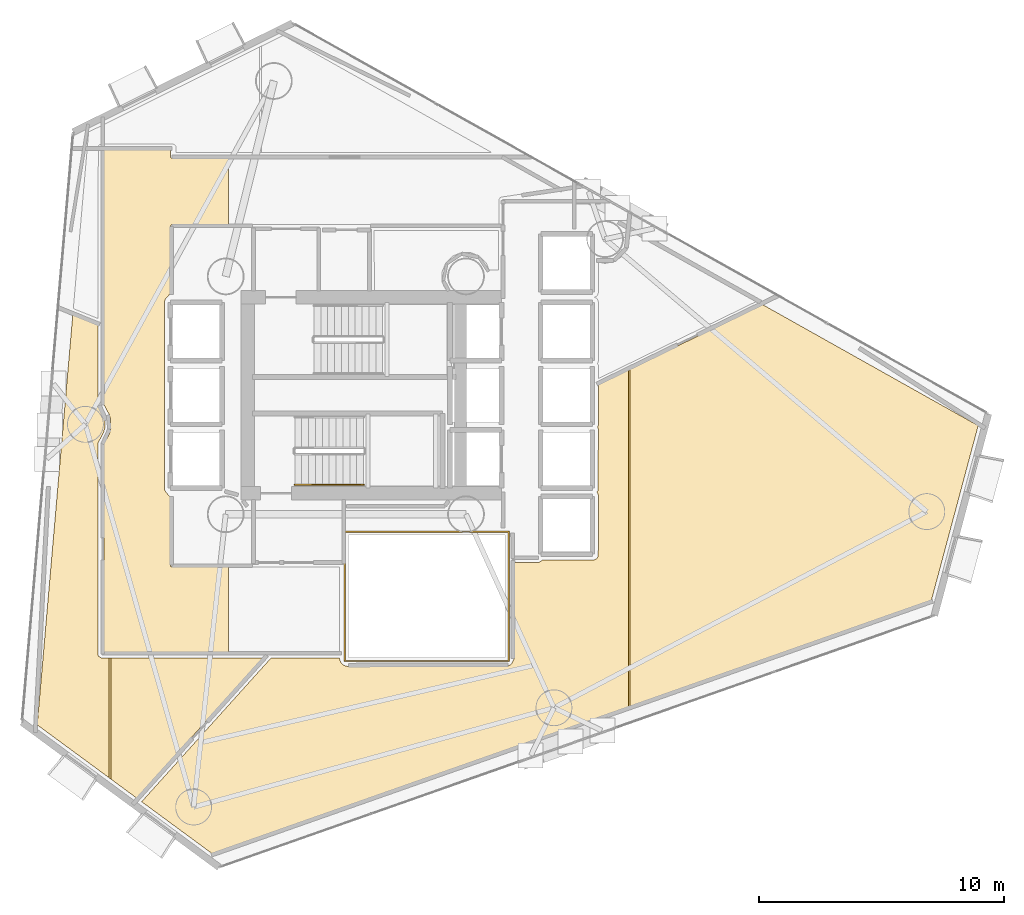
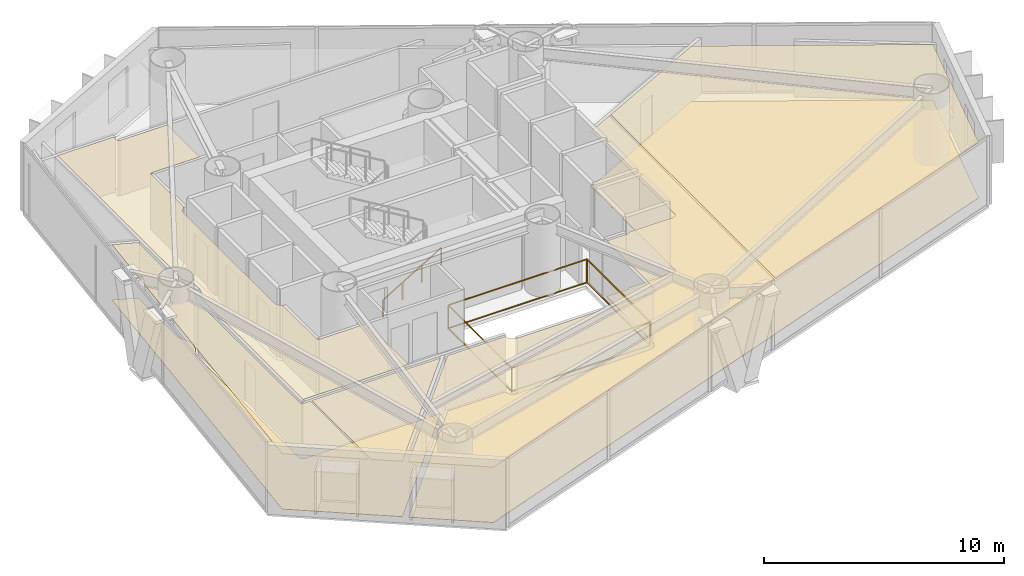
# One storey, part 18 of 19: 7 coverings, 2 railings.
"""IFC4 building model written with IfcOpenShell, lengths in metres."""

import ifcopenshell
import ifcopenshell.guid

model = None  # the IFC model being written
_history = None  # IfcOwnerHistory: only IFC2X3 demands one
_inside = {}  # id of a spatial element -> (the spatial element, [elements in it])
_under = {}  # id of a project, library or spatial element -> (it, [spatial elements below it])
_declared = {}  # id of a project -> (the project, [libraries it declares])
_typed = {}  # id of a type object -> (the type object, [elements of that type])
_made_of = {}  # id of a material, layer set ... -> (it, [elements and type objects made of it])


def new_model(schema):
    """Start an empty IFC model of exactly this schema.

    Asked for "IFC4X3", IfcOpenShell would pick the latest addendum, in which some entities
    have other attributes; the version numbers below select the first issue.
    IFC2X3 requires an IfcOwnerHistory on every rooted entity: one is made here for all.
    """
    global model, _history
    if schema == "IFC4X3":
        model = ifcopenshell.file(schema_version=(4, 3, 0, 0))
    else:
        model = ifcopenshell.file(schema=schema)
    _inside.clear()
    _under.clear()
    _declared.clear()
    _typed.clear()
    _made_of.clear()
    _history = None
    if model.schema == "IFC2X3":
        org = make("IfcOrganization", Name="unknown")
        user = make(
            "IfcPersonAndOrganization",
            ThePerson=make("IfcPerson", FamilyName="unknown"),
            TheOrganization=org,
        )
        app = make(
            "IfcApplication",
            ApplicationDeveloper=org,
            Version="unknown",
            ApplicationFullName="unknown",
            ApplicationIdentifier="unknown",
        )
        _history = make(
            "IfcOwnerHistory",
            OwningUser=user,
            OwningApplication=app,
            ChangeAction="ADDED",
            CreationDate=0,
        )
    return model


def make(cls, **values):
    """One entity of the class cls with the attributes given. An attribute that is None is left unset."""
    return model.create_entity(
        cls, **{name: value for name, value in values.items() if value is not None}
    )


def rooted(cls, **values):
    """An entity with a GlobalId (a new one), such as an element, a storey or a relation."""
    return make(cls, GlobalId=ifcopenshell.guid.new(), OwnerHistory=_history, **values)


def si_unit(unit_type, name, prefix=None):
    """IfcSIUnit, for example si_unit("LENGTHUNIT", "METRE", prefix="MILLI")."""
    return make("IfcSIUnit", UnitType=unit_type, Prefix=prefix, Name=name)


def assignment(units):
    """IfcUnitAssignment: the units of a project."""
    return None if units is None else make("IfcUnitAssignment", Units=units)


def point(xyz):
    """IfcCartesianPoint."""
    return None if xyz is None else make("IfcCartesianPoint", Coordinates=xyz)


def direction(xyz):
    """IfcDirection."""
    return None if xyz is None else make("IfcDirection", DirectionRatios=xyz)


def frame(location, z_axis=None, x_axis=None):
    """IfcAxis2Placement3D, a coordinate frame: its origin and axes. An axis left out is left unset."""
    return make(
        "IfcAxis2Placement3D",
        Location=point(location),
        Axis=direction(z_axis),
        RefDirection=direction(x_axis),
    )


def frame_2d(location, x_axis=None):
    """IfcAxis2Placement2D, a coordinate frame in the plane: its origin and x axis."""
    return make(
        "IfcAxis2Placement2D", Location=point(location), RefDirection=direction(x_axis)
    )


def origin():
    """The frame at (0, 0, 0) with its axes left unset."""
    return frame((0.0, 0.0, 0.0))


def origin_2d():
    """The frame at (0, 0) in the plane with its x axis left unset."""
    return frame_2d((0.0, 0.0))


def place(relative_to, where):
    """IfcLocalPlacement: puts the frame where relative to a parent placement (None: the world)."""
    return make(
        "IfcLocalPlacement", PlacementRelTo=relative_to, RelativePlacement=where
    )


def context(
    kind, dimensions, precision=None, world=None, true_north=None, identifier=None
):
    """IfcGeometricRepresentationContext, for example the 3D "Model" context."""
    return make(
        "IfcGeometricRepresentationContext",
        ContextIdentifier=identifier,
        ContextType=kind,
        CoordinateSpaceDimension=dimensions,
        Precision=precision,
        WorldCoordinateSystem=world,
        TrueNorth=true_north,
    )


def subcontext(parent, identifier, kind, view, scale=None):
    """IfcGeometricRepresentationSubContext, for example "Body" below "Model"."""
    return make(
        "IfcGeometricRepresentationSubContext",
        ContextIdentifier=identifier,
        ContextType=kind,
        ParentContext=parent,
        TargetScale=scale,
        TargetView=view,
    )


def project(units=None, contexts=None):
    """IfcProject with its units and contexts."""
    return rooted(
        "IfcProject",
        Name="project",
        RepresentationContexts=contexts,
        UnitsInContext=assignment(units),
    )


def spatial(cls, under=None, at=None, **own):
    """A site, building, storey or space (cls), placed at a placement, below another one or the project."""
    s = rooted(cls, ObjectPlacement=at, **own)
    if under is not None:
        _under.setdefault(under.id(), (under, []))[1].append(s)
    return s


def polyline(points):
    """IfcPolyline through the points."""
    return make("IfcPolyline", Points=[point(p) for p in points])


def profile(cls, at=None, kind="AREA", **sizes):
    """A parametric profile (cls). Its sizes go by their IFC names, for example OverallWidth=200.0."""
    return make(cls, ProfileType=kind, Position=at, **sizes)


def rectangle(**sizes):
    """IfcRectangleProfileDef."""
    return profile("IfcRectangleProfileDef", **sizes)


def outline(outer, holes=None, kind="AREA"):
    """IfcArbitraryClosedProfileDef: a profile drawn as a closed curve; with holes, ...WithVoids."""
    if holes is None:
        return make("IfcArbitraryClosedProfileDef", ProfileType=kind, OuterCurve=outer)
    return make(
        "IfcArbitraryProfileDefWithVoids",
        ProfileType=kind,
        OuterCurve=outer,
        InnerCurves=holes,
    )


def extrude(swept, where, along, depth):
    """IfcExtrudedAreaSolid: the profile swept, set in the frame where, extruded along a direction by depth."""
    return make(
        "IfcExtrudedAreaSolid",
        SweptArea=swept,
        Position=where,
        ExtrudedDirection=direction(along),
        Depth=depth,
    )


def shape(context_of_items, identifier, shape_type, items):
    """IfcShapeRepresentation: the items that make up one representation, for example the "Body"."""
    return make(
        "IfcShapeRepresentation",
        ContextOfItems=context_of_items,
        RepresentationIdentifier=identifier,
        RepresentationType=shape_type,
        Items=items,
    )


def material(Name=None, Category=None):
    """IfcMaterial."""
    return make("IfcMaterial", Name=Name, Category=Category)


def layer(
    of_material, thickness, ventilated=None, Name=None, Category=None, Priority=None
):
    """IfcMaterialLayer: one layer of a wall or slab, of a material (None: an air gap)."""
    return make(
        "IfcMaterialLayer",
        Material=of_material,
        LayerThickness=thickness,
        IsVentilated=ventilated,
        Name=Name,
        Category=Category,
        Priority=Priority,
    )


def layer_set(layers, Name=None):
    """IfcMaterialLayerSet."""
    return make("IfcMaterialLayerSet", MaterialLayers=layers, LayerSetName=Name)


def made_of(thing, what):
    """Note that an element or type object is made of a material, layer set ...; save() writes the relation."""
    if what is not None:
        _made_of.setdefault(what.id(), (what, []))[1].append(thing)
    return thing


def type_object(cls, material=None, **own):
    """A type object (cls), such as IfcWallType, which elements share."""
    return made_of(rooted(cls, **own), material)


def element(
    cls,
    number,
    at=None,
    inside=None,
    cuts=None,
    type_object=None,
    material=None,
    context=None,
    identifier="Body",
    shape_type=None,
    held_by="IfcProductDefinitionShape",
    body=None,
    shapes=None,
    **own,
):
    """One element of the class cls, such as IfcWall. Its Tag is "e" and its number.

    at: its placement. inside: the storey or other place that contains it. cuts: it is an
    opening in that element (IfcRelVoidsElement). A single representation is given by context,
    identifier, shape_type and body (its items); several are given by shapes. held_by: the class
    of the entity that holds the representations. save() writes the other relations.
    """
    e = rooted(cls, Tag="e%d" % number, ObjectPlacement=at, **own)
    if body is not None:
        shapes = [shape(context, identifier, shape_type, body)]
    if shapes is not None:
        e.Representation = make(held_by, Representations=shapes)
    if inside is not None:
        _inside.setdefault(inside.id(), (inside, []))[1].append(e)
    if cuts is not None:
        rooted(
            "IfcRelVoidsElement", RelatingBuildingElement=cuts, RelatedOpeningElement=e
        )
    if type_object is not None:
        _typed.setdefault(type_object.id(), (type_object, []))[1].append(e)
    return made_of(e, material)


def aggregate(whole, parts):
    """IfcRelAggregates: a whole, such as a stair, and the parts it consists of."""
    return rooted("IfcRelAggregates", RelatingObject=whole, RelatedObjects=parts)


def save(model, path):
    """Write the relations noted so far, then the file.

    IfcRelAggregates (storeys below a building ...), IfcRelContainedInSpatialStructure (elements
    in a storey), IfcRelDefinesByType, IfcRelAssociatesMaterial and IfcRelDeclares: one each for
    every whole, place, type object, material and project.
    """
    for whole, parts in _under.values():
        aggregate(whole, parts)
    for where, things in _inside.values():
        rooted(
            "IfcRelContainedInSpatialStructure",
            RelatedElements=things,
            RelatingStructure=where,
        )
    for kind, things in _typed.values():
        rooted("IfcRelDefinesByType", RelatedObjects=things, RelatingType=kind)
    for what, things in _made_of.values():
        rooted("IfcRelAssociatesMaterial", RelatedObjects=things, RelatingMaterial=what)
    for by, libraries in _declared.values():
        rooted("IfcRelDeclares", RelatingContext=by, RelatedDefinitions=libraries)
    model.write(path)


model = new_model("IFC4")

# Units and contexts
model_context = context("Model", 3, precision=1e-05, world=origin(), true_north=direction((0.0, 1.0)))
body_context = subcontext(model_context, "Body", "Model", "MODEL_VIEW")
ifc_project = project(units=[si_unit("LENGTHUNIT", "METRE"), si_unit("AREAUNIT", "SQUARE_METRE"), si_unit("VOLUMEUNIT", "CUBIC_METRE"), si_unit("PLANEANGLEUNIT", "RADIAN"), si_unit("MASSUNIT", "GRAM", prefix="KILO")], contexts=[model_context])

# Site, building, storey
site_placement = place(None, origin())
site = spatial("IfcSite", under=ifc_project, at=site_placement, CompositionType="ELEMENT")
building_placement = place(site_placement, origin())
building = spatial("IfcBuilding", under=site, at=building_placement, Name="Qianvela Tower", CompositionType="ELEMENT")
storey_placement = place(building_placement, frame((0.0, 0.0, 123.699951171875)))
storey = spatial("IfcBuildingStorey", under=building, at=storey_placement, Name="L31", CompositionType="ELEMENT", Elevation=123.699951171875)

# Coverings
ifc_material_1 = material(Name="Perforated Mineral Acoustic Ceiling Tile")
ifc_layer_1 = layer(ifc_material_1, 0.02490234375)
ifc_layer_set_1 = layer_set([ifc_layer_1], Name="Perforated Mineral Acoustic Ceiling Tile")
covering_type_1 = type_object("IfcCoveringType", Name="COV-CEIL-ACOUSTIC-25", PredefinedType="CEILING", material=ifc_layer_set_1)
covering_1_placement = place(storey_placement, frame((0.0, 0.0, 2.81494140625)))
element("IfcCovering", 1, at=covering_1_placement, inside=storey, type_object=covering_type_1, Name="L31 Acoustic Ceiling Bay 1 L31 Floor Corridor", PredefinedType="CEILING", context=body_context, shape_type="SweptSolid", body=[
    extrude(outline(polyline([(23.84814453125, 27.917724609375), (23.8447265625, 27.9248046875), (23.6298828125, 28.32666015625), (23.6298828125, 38.719970703125), (26.340087890625, 38.719970703125), (26.340087890625, 38.449951171875), (26.34033203125, 38.442138671875), (26.341552734375, 38.434326171875), (26.343505859375, 38.4267578125), (26.34619140625, 38.41943359375), (26.349365234375, 38.412353515625), (26.353515625, 38.405517578125), (26.358154296875, 38.399169921875), (26.36328125, 38.393310546875), (26.369140625, 38.38818359375), (26.37548828125, 38.383544921875), (26.38232421875, 38.37939453125), (26.389404296875, 38.376220703125), (26.396728515625, 38.373291015625), (26.404296875, 38.37158203125), (26.412109375, 38.370361328125), (26.419921875, 38.3701171875), (28.718994140625, 38.3701171875), (28.718994140625, 35.659912109375), (26.419921875, 35.659912109375), (26.412109375, 35.65966796875), (26.404296875, 35.658447265625), (26.396728515625, 35.656494140625), (26.389404296875, 35.65380859375), (26.38232421875, 35.650634765625), (26.37548828125, 35.646484375), (26.369140625, 35.641845703125), (26.36328125, 35.63671875), (26.358154296875, 35.630859375), (26.353515625, 35.62451171875), (26.349365234375, 35.61767578125), (26.34619140625, 35.610595703125), (26.343505859375, 35.603271484375), (26.341552734375, 35.595703125), (26.34033203125, 35.587890625), (26.340087890625, 35.580078125), (26.340087890625, 32.849365234375), (26.152587890625, 32.642578125), (26.1474609375, 32.636474609375), (26.143310546875, 32.6298828125), (26.139404296875, 32.623046875), (26.136474609375, 32.61572265625), (26.104736328125, 32.527099609375), (26.10205078125, 32.518310546875), (26.1005859375, 32.509033203125), (26.10009765625, 32.5), (26.10009765625, 24.89990234375), (26.100341796875, 24.89306640625), (26.101318359375, 24.88623046875), (26.1025390625, 24.879638671875), (26.104736328125, 24.873046875), (26.136474609375, 24.7841796875), (26.139404296875, 24.777099609375), (26.143310546875, 24.77001953125), (26.1474609375, 24.763427734375), (26.152587890625, 24.757568359375), (26.340087890625, 24.550537109375), (26.340087890625, 21.780029296875), (26.34033203125, 21.772216796875), (26.341552734375, 21.764404296875), (26.343505859375, 21.7568359375), (26.34619140625, 21.74951171875), (26.349365234375, 21.7421875), (26.353515625, 21.735595703125), (26.358154296875, 21.729248046875), (26.36328125, 21.723388671875), (26.369140625, 21.71826171875), (26.37548828125, 21.71337890625), (26.38232421875, 21.70947265625), (26.389404296875, 21.7060546875), (26.396728515625, 21.703369140625), (26.404296875, 21.701416015625), (26.412109375, 21.700439453125), (26.419921875, 21.699951171875), (28.718994140625, 21.699951171875), (28.718994140625, 18.22998046875), (23.6298828125, 18.22998046875), (23.6298828125, 26.705322265625), (23.8447265625, 27.107177734375), (23.84814453125, 27.1142578125), (23.8505859375, 27.12158203125), (23.906005859375, 27.303466796875), (23.90771484375, 27.311279296875), (23.908935546875, 27.31884765625), (23.909423828125, 27.326904296875), (23.909423828125, 27.705078125), (23.908935546875, 27.713134765625), (23.90771484375, 27.720703125), (23.906005859375, 27.728515625), (23.8505859375, 27.910400390625), (23.84814453125, 27.917724609375)])), origin(), (0.0, 0.0, 1.0), 0.025146484375),
])
covering_2_placement = place(storey_placement, frame((0.0, 0.0, 2.81494140625)))
element("IfcCovering", 2, at=covering_2_placement, inside=storey, type_object=covering_type_1, Name="L31 Acoustic Ceiling Bay 1 Student Tea Pantry L31-01", PredefinedType="CEILING", context=body_context, shape_type="SweptSolid", body=[
    extrude(outline(polyline([(23.389892578125, 31.569091796875), (23.390380859375, 28.298583984375), (23.390869140625, 28.291015625), (23.391845703125, 28.283447265625), (23.393798828125, 28.276123046875), (23.396240234375, 28.268798828125), (23.3994140625, 28.261962890625), (23.62548828125, 27.826171875), (23.66943359375, 27.681396484375), (23.66943359375, 27.3505859375), (23.62548828125, 27.20556640625), (23.398681640625, 26.76171875), (23.3955078125, 26.7548828125), (23.393310546875, 26.747802734375), (23.391357421875, 26.740478515625), (23.390380859375, 26.73291015625), (23.389892578125, 26.725341796875), (23.3994140625, 18.1123046875), (23.39990234375, 18.10400390625), (23.401123046875, 18.095703125), (23.4033203125, 18.087890625), (23.40625, 18.080078125), (23.409912109375, 18.07275390625), (23.414306640625, 18.06591796875), (23.41943359375, 18.059326171875), (23.42529296875, 18.053466796875), (23.431396484375, 18.04833984375), (23.438232421875, 18.043701171875), (23.5087890625, 18.00146484375), (23.5166015625, 17.997314453125), (23.5244140625, 17.994140625), (23.532958984375, 17.991943359375), (23.54150390625, 17.990478515625), (23.550048828125, 17.989990234375), (23.83349609375, 17.989990234375), (23.83349609375, 13.10888671875), (20.91162109375, 15.2587890625), (22.363037109375, 31.984130859375), (23.389892578125, 31.569091796875)])), origin(), (0.0, 0.0, 1.0), 0.025146484375),
])
covering_3_placement = place(storey_placement, frame((0.0, 0.0, 2.81494140625)))
element("IfcCovering", 3, at=covering_3_placement, inside=storey, type_object=covering_type_1, Name="L31 Acoustic Ceiling Bay 2 Student Tea Pantry L31-01", PredefinedType="CEILING", context=body_context, shape_type="SweptSolid", body=[
    extrude(outline(polyline([(30.12353515625, 17.989990234375), (24.973388671875, 12.27001953125), (23.91357421875, 13.050048828125), (23.91357421875, 17.989990234375), (30.12353515625, 17.989990234375)])), origin(), (0.0, 0.0, 1.0), 0.025146484375),
])
covering_4_placement = place(storey_placement, frame((0.0, 0.0, 2.81494140625)))
element("IfcCovering", 4, at=covering_4_placement, inside=storey, type_object=covering_type_1, Name="L31 Acoustic Ceiling Bay 1 Floor Dining Kitchen L31-02", PredefinedType="CEILING", context=body_context, shape_type="SweptSolid", body=[
    extrude(outline(polyline([(40.13037109375, 17.664794921875), (40.1376953125, 17.66748046875), (40.14501953125, 17.6708984375), (40.151611328125, 17.6748046875), (40.242431640625, 17.735595703125), (40.249267578125, 17.74072265625), (40.255615234375, 17.74658203125), (40.26123046875, 17.753173828125), (40.26611328125, 17.76025390625), (40.270263671875, 17.767822265625), (40.35107421875, 17.9384765625), (40.354248046875, 17.946533203125), (40.356689453125, 17.955078125), (40.358154296875, 17.963623046875), (40.358642578125, 17.972412109375), (40.360107421875, 21.889892578125), (41.367919921875, 21.890380859375), (41.375732421875, 21.890869140625), (41.383544921875, 21.891845703125), (41.39111328125, 21.893798828125), (41.3984375, 21.896484375), (41.405517578125, 21.89990234375), (41.45947265625, 21.9287109375), (41.46630859375, 21.932861328125), (41.472900390625, 21.9375), (41.478759765625, 21.943115234375), (41.48388671875, 21.948974609375), (41.48876953125, 21.955322265625), (41.492919921875, 21.96240234375), (41.49609375, 21.969482421875), (41.498779296875, 21.97705078125), (41.49951171875, 21.97998046875), (43.59375, 21.980712890625), (43.6015625, 21.981201171875), (43.609375, 21.982177734375), (43.616943359375, 21.984130859375), (43.624267578125, 21.98681640625), (43.699462890625, 22.017822265625), (43.70654296875, 22.021240234375), (43.71337890625, 22.025390625), (43.719482421875, 22.02978515625), (43.725341796875, 22.03515625), (43.730712890625, 22.041015625), (43.7353515625, 22.04736328125), (43.780517578125, 22.114990234375), (43.784423828125, 22.12158203125), (43.787841796875, 22.128662109375), (43.79052734375, 22.135986328125), (43.79248046875, 22.1435546875), (43.793701171875, 22.1513671875), (43.7939453125, 22.1591796875), (43.800048828125, 24.599853515625), (43.7998046875, 24.606689453125), (43.798828125, 24.613525390625), (43.79736328125, 24.620361328125), (43.79541015625, 24.626953125), (43.763427734375, 24.7158203125), (43.760498046875, 24.722900390625), (43.7568359375, 24.72998046875), (43.75244140625, 24.736572265625), (43.74755859375, 24.742431640625), (43.741943359375, 24.748046875), (43.73583984375, 24.753173828125), (43.730224609375, 24.7568359375), (43.74462890625, 24.765380859375), (43.75146484375, 24.77001953125), (43.7578125, 24.775146484375), (43.763427734375, 24.781005859375), (43.7685546875, 24.787353515625), (43.77294921875, 24.794189453125), (43.776611328125, 24.8017578125), (43.779541015625, 24.809326171875), (43.78173828125, 24.817138671875), (43.782958984375, 24.8251953125), (43.783447265625, 24.83349609375), (43.800048828125, 27.299560546875), (43.799560546875, 27.3076171875), (43.798583984375, 27.315673828125), (43.79638671875, 27.323486328125), (43.793701171875, 27.3310546875), (43.7646484375, 27.39990234375), (43.793701171875, 27.468994140625), (43.79638671875, 27.476318359375), (43.79833984375, 27.484130859375), (43.799560546875, 27.491943359375), (43.800048828125, 27.5), (43.800048828125, 29.13720703125), (45.019287109375, 29.73193359375), (45.019287109375, 15.9853515625), (28.044921875, 10.010009765625), (25.1708984375, 12.124755859375), (30.451904296875, 17.989990234375), (33.24609375, 17.989990234375), (33.252197265625, 17.912353515625), (33.25341796875, 17.904296875), (33.25537109375, 17.896240234375), (33.258056640625, 17.888427734375), (33.261474609375, 17.881103515625), (33.31298828125, 17.78466796875), (33.31689453125, 17.77783203125), (33.32177734375, 17.771484375), (33.326904296875, 17.765869140625), (33.332763671875, 17.760498046875), (33.417236328125, 17.691162109375), (33.42431640625, 17.68603515625), (33.431884765625, 17.681640625), (33.440185546875, 17.677978515625), (33.448486328125, 17.675537109375), (33.58056640625, 17.642333984375), (33.5869140625, 17.64111328125), (33.593505859375, 17.640380859375), (33.60009765625, 17.639892578125), (40.0, 17.639892578125), (40.0078125, 17.640380859375), (40.015625, 17.6416015625), (40.122802734375, 17.662841796875), (40.13037109375, 17.664794921875)])), origin(), (0.0, 0.0, 1.0), 0.025146484375),
])
covering_5_placement = place(storey_placement, frame((0.0, 0.0, 2.81494140625)))
element("IfcCovering", 5, at=covering_5_placement, inside=storey, type_object=covering_type_1, Name="L31 Acoustic Ceiling Bay 2 Floor Dining Kitchen L31-02", PredefinedType="CEILING", context=body_context, shape_type="SweptSolid", body=[
    extrude(outline(polyline([(50.4931640625, 32.401611328125), (59.2890625, 27.462890625), (57.382080078125, 20.33740234375), (45.09912109375, 16.013427734375), (45.09912109375, 29.77099609375), (50.4931640625, 32.401611328125)])), origin(), (0.0, 0.0, 1.0), 0.025146484375),
])
ifc_material_2 = material(Name="Engineered Acoustic Oak Timber Flooring", Category="wood")
ifc_layer_2 = layer(ifc_material_2, 0.02001953125)
ifc_layer_set_2 = layer_set([ifc_layer_2], Name="Engineered Acoustic Oak Timber Flooring")
covering_type_2 = type_object("IfcCoveringType", Name="COV-FLOOR-OAK-20", PredefinedType="FLOORING", material=ifc_layer_set_2)
covering_6_placement = place(storey_placement, origin())
element("IfcCovering", 6, at=covering_6_placement, inside=storey, type_object=covering_type_2, Name="L31 Finish Flooring Student Tea Pantry L31-01", PredefinedType="FLOORING", context=body_context, shape_type="SweptSolid", body=[
    extrude(outline(polyline([(22.363037109375, 31.984130859375), (23.389892578125, 31.569091796875), (23.390380859375, 28.298583984375), (23.390869140625, 28.291015625), (23.391845703125, 28.283447265625), (23.393798828125, 28.276123046875), (23.396240234375, 28.268798828125), (23.3994140625, 28.261962890625), (23.62548828125, 27.826171875), (23.66943359375, 27.681396484375), (23.66943359375, 27.3505859375), (23.62548828125, 27.20556640625), (23.398681640625, 26.76171875), (23.3955078125, 26.7548828125), (23.393310546875, 26.747802734375), (23.391357421875, 26.740478515625), (23.390380859375, 26.73291015625), (23.389892578125, 26.725341796875), (23.3994140625, 18.1123046875), (23.39990234375, 18.10400390625), (23.401123046875, 18.095703125), (23.4033203125, 18.087890625), (23.40625, 18.080078125), (23.409912109375, 18.07275390625), (23.414306640625, 18.06591796875), (23.41943359375, 18.059326171875), (23.42529296875, 18.053466796875), (23.431396484375, 18.04833984375), (23.438232421875, 18.043701171875), (23.5087890625, 18.00146484375), (23.5166015625, 17.997314453125), (23.5244140625, 17.994140625), (23.532958984375, 17.991943359375), (23.54150390625, 17.990478515625), (23.550048828125, 17.989990234375), (30.12353515625, 17.989990234375), (24.973388671875, 12.27001953125), (20.91162109375, 15.2587890625), (22.363037109375, 31.984130859375)])), origin(), (0.0, 0.0, 1.0), 0.02001953125),
])
covering_7_placement = place(storey_placement, origin())
element("IfcCovering", 7, at=covering_7_placement, inside=storey, type_object=covering_type_2, Name="L31 Finish Flooring Floor Dining Kitchen L31-02", PredefinedType="FLOORING", context=body_context, shape_type="SweptSolid", body=[
    extrude(outline(polyline([(40.122802734375, 17.662841796875), (40.13037109375, 17.664794921875), (40.1376953125, 17.66748046875), (40.14501953125, 17.6708984375), (40.151611328125, 17.6748046875), (40.242431640625, 17.735595703125), (40.249267578125, 17.74072265625), (40.255615234375, 17.74658203125), (40.26123046875, 17.753173828125), (40.26611328125, 17.76025390625), (40.270263671875, 17.767822265625), (40.35107421875, 17.9384765625), (40.354248046875, 17.946533203125), (40.356689453125, 17.955078125), (40.358154296875, 17.963623046875), (40.358642578125, 17.972412109375), (40.360107421875, 21.889892578125), (41.367919921875, 21.890380859375), (41.375732421875, 21.890869140625), (41.383544921875, 21.891845703125), (41.39111328125, 21.893798828125), (41.3984375, 21.896484375), (41.405517578125, 21.89990234375), (41.45947265625, 21.9287109375), (41.46630859375, 21.932861328125), (41.472900390625, 21.9375), (41.478759765625, 21.943115234375), (41.48388671875, 21.948974609375), (41.48876953125, 21.955322265625), (41.492919921875, 21.96240234375), (41.49609375, 21.969482421875), (41.498779296875, 21.97705078125), (41.49951171875, 21.97998046875), (43.59375, 21.980712890625), (43.6015625, 21.981201171875), (43.609375, 21.982177734375), (43.616943359375, 21.984130859375), (43.624267578125, 21.98681640625), (43.699462890625, 22.017822265625), (43.70654296875, 22.021240234375), (43.71337890625, 22.025390625), (43.719482421875, 22.02978515625), (43.725341796875, 22.03515625), (43.730712890625, 22.041015625), (43.7353515625, 22.04736328125), (43.780517578125, 22.114990234375), (43.784423828125, 22.12158203125), (43.787841796875, 22.128662109375), (43.79052734375, 22.135986328125), (43.79248046875, 22.1435546875), (43.793701171875, 22.1513671875), (43.7939453125, 22.1591796875), (43.800048828125, 24.599853515625), (43.7998046875, 24.606689453125), (43.798828125, 24.613525390625), (43.79736328125, 24.620361328125), (43.79541015625, 24.626953125), (43.763427734375, 24.7158203125), (43.760498046875, 24.722900390625), (43.7568359375, 24.72998046875), (43.75244140625, 24.736572265625), (43.74755859375, 24.742431640625), (43.741943359375, 24.748046875), (43.73583984375, 24.753173828125), (43.730224609375, 24.7568359375), (43.74462890625, 24.765380859375), (43.75146484375, 24.77001953125), (43.7578125, 24.775146484375), (43.763427734375, 24.781005859375), (43.7685546875, 24.787353515625), (43.77294921875, 24.794189453125), (43.776611328125, 24.8017578125), (43.779541015625, 24.809326171875), (43.78173828125, 24.817138671875), (43.782958984375, 24.8251953125), (43.783447265625, 24.83349609375), (43.800048828125, 27.299560546875), (43.799560546875, 27.3076171875), (43.798583984375, 27.315673828125), (43.79638671875, 27.323486328125), (43.793701171875, 27.3310546875), (43.7646484375, 27.39990234375), (43.793701171875, 27.468994140625), (43.79638671875, 27.476318359375), (43.79833984375, 27.484130859375), (43.799560546875, 27.491943359375), (43.800048828125, 27.5), (43.800048828125, 29.13720703125), (50.4931640625, 32.401611328125), (59.2890625, 27.462890625), (57.382080078125, 20.33740234375), (28.044921875, 10.010009765625), (25.1708984375, 12.124755859375), (30.451904296875, 17.989990234375), (33.24609375, 17.989990234375), (33.252197265625, 17.912353515625), (33.25341796875, 17.904296875), (33.25537109375, 17.896240234375), (33.258056640625, 17.888427734375), (33.261474609375, 17.881103515625), (33.31298828125, 17.78466796875), (33.31689453125, 17.77783203125), (33.32177734375, 17.771484375), (33.326904296875, 17.765869140625), (33.332763671875, 17.760498046875), (33.417236328125, 17.691162109375), (33.42431640625, 17.68603515625), (33.431884765625, 17.681640625), (33.440185546875, 17.677978515625), (33.448486328125, 17.675537109375), (33.58056640625, 17.642333984375), (33.5869140625, 17.64111328125), (33.593505859375, 17.640380859375), (33.60009765625, 17.639892578125), (40.0, 17.639892578125), (40.0078125, 17.640380859375), (40.015625, 17.6416015625), (40.122802734375, 17.662841796875)])), origin(), (0.0, 0.0, 1.0), 0.02001953125),
])

# Railings
ifc_material_3 = material(Name="Laminated Safety Glass and Stainless Steel 316", Category="steel")
railing_type_1 = type_object("IfcRailingType", Name="RL-ATRIUM-GUARD-1250", PredefinedType="GUARDRAIL", material=ifc_material_3)
railing_1_placement = place(storey_placement, frame((33.4599609375, 17.860107421875, 0.0)))
element("IfcRailing", 8, at=railing_1_placement, inside=storey, type_object=railing_type_1, Name="L31 Atrium Edge Guardrail 1", PredefinedType="GUARDRAIL", context=body_context, shape_type="SweptSolid", body=[
    extrude(rectangle(XDim=0.050048828125, YDim=0.0400390625, at=origin_2d()), frame((0.0, 0.0, 1.22998046875), z_axis=(0.0, 1.0, 0.0), x_axis=(-1.0, 0.0, 0.0)), (0.0, 0.0, 1.0), 5.27978515625),
    extrude(rectangle(XDim=0.050048828125, YDim=0.0400390625, at=origin_2d()), frame((0.0, 0.0, 0.050048828125), z_axis=(0.0, 1.0, 0.0), x_axis=(-1.0, 0.0, 0.0)), (0.0, 0.0, 1.0), 5.27978515625),
    extrude(rectangle(XDim=0.050048828125, YDim=0.0400390625, at=origin_2d()), frame((0.0, 5.27978515625, 1.22998046875), z_axis=(1.0, 0.0, 0.0), x_axis=(0.0, 1.0, 0.0)), (0.0, 0.0, 1.0), 6.679931640625),
    extrude(rectangle(XDim=0.050048828125, YDim=0.0400390625, at=origin_2d()), frame((0.0, 5.27978515625, 0.050048828125), z_axis=(1.0, 0.0, 0.0), x_axis=(0.0, 1.0, 0.0)), (0.0, 0.0, 1.0), 6.679931640625),
    extrude(rectangle(XDim=0.050048828125, YDim=0.0400390625, at=origin_2d()), frame((6.679931640625, 5.27978515625, 1.22998046875), z_axis=(0.0, -1.0, 0.0), x_axis=(1.0, 0.0, 0.0)), (0.0, 0.0, 1.0), 5.27978515625),
    extrude(rectangle(XDim=0.050048828125, YDim=0.0400390625, at=origin_2d()), frame((6.679931640625, 5.27978515625, 0.050048828125), z_axis=(0.0, -1.0, 0.0), x_axis=(1.0, 0.0, 0.0)), (0.0, 0.0, 1.0), 5.27978515625),
    extrude(rectangle(XDim=0.050048828125, YDim=0.0400390625, at=origin_2d()), frame((6.679931640625, 0.0, 1.22998046875), z_axis=(-1.0, 0.0, 0.0), x_axis=(0.0, -1.0, 0.0)), (0.0, 0.0, 1.0), 6.679931640625),
    extrude(rectangle(XDim=0.050048828125, YDim=0.0400390625, at=origin_2d()), frame((6.679931640625, 0.0, 0.050048828125), z_axis=(-1.0, 0.0, 0.0), x_axis=(0.0, -1.0, 0.0)), (0.0, 0.0, 1.0), 6.679931640625),
    extrude(rectangle(XDim=0.050048828125, YDim=0.050048828125, at=origin_2d()), origin(), (0.0, 0.0, 1.0), 1.2099609375),
    extrude(rectangle(XDim=0.050048828125, YDim=0.050048828125, at=origin_2d()), frame((0.0, 5.27978515625, 0.0)), (0.0, 0.0, 1.0), 1.2099609375),
    extrude(rectangle(XDim=0.050048828125, YDim=0.050048828125, at=origin_2d()), frame((6.679931640625, 5.27978515625, 0.0)), (0.0, 0.0, 1.0), 1.2099609375),
    extrude(rectangle(XDim=0.050048828125, YDim=0.050048828125, at=origin_2d()), frame((6.679931640625, 0.0, 0.0)), (0.0, 0.0, 1.0), 1.2099609375),
])
ifc_material_4 = material(Name="Brushed Stainless Steel 304", Category="steel")
railing_type_2 = type_object("IfcRailingType", Name="RL-STAIR-HANDRAIL-900", PredefinedType="HANDRAIL", material=ifc_material_4)
railing_2_placement = place(storey_placement, frame((31.419921875, 25.050048828125, 0.168212890625)))
element("IfcRailing", 9, at=railing_2_placement, inside=storey, type_object=railing_type_2, Name="L31 ST-2 stair handrail 1", PredefinedType="HANDRAIL", context=body_context, shape_type="SweptSolid", body=[
    extrude(rectangle(XDim=0.050048828125, YDim=0.0400390625, at=origin_2d()), frame((0.0, 0.0, 0.8798828125), z_axis=(0.857242210791, 0.0, 0.514913383045), x_axis=(0.0, 1.0, 0.0)), (0.0, 0.0, 1.0), 3.266357421875),
    extrude(rectangle(XDim=0.050048828125, YDim=0.050048828125, at=origin_2d()), origin(), (0.0, 0.0, 1.0), 0.85986328125),
    extrude(rectangle(XDim=0.050048828125, YDim=0.050048828125, at=origin_2d()), frame((0.933349609375, 0.0, 0.560546875)), (0.0, 0.0, 1.0), 0.85986328125),
    extrude(rectangle(XDim=0.050048828125, YDim=0.050048828125, at=origin_2d()), frame((1.86669921875, 0.0, 1.121337890625)), (0.0, 0.0, 1.0), 0.85986328125),
    extrude(rectangle(XDim=0.050048828125, YDim=0.050048828125, at=origin_2d()), frame((2.800048828125, 0.0, 1.681884765625)), (0.0, 0.0, 1.0), 0.85986328125),
])

save(model, "model.ifc")
